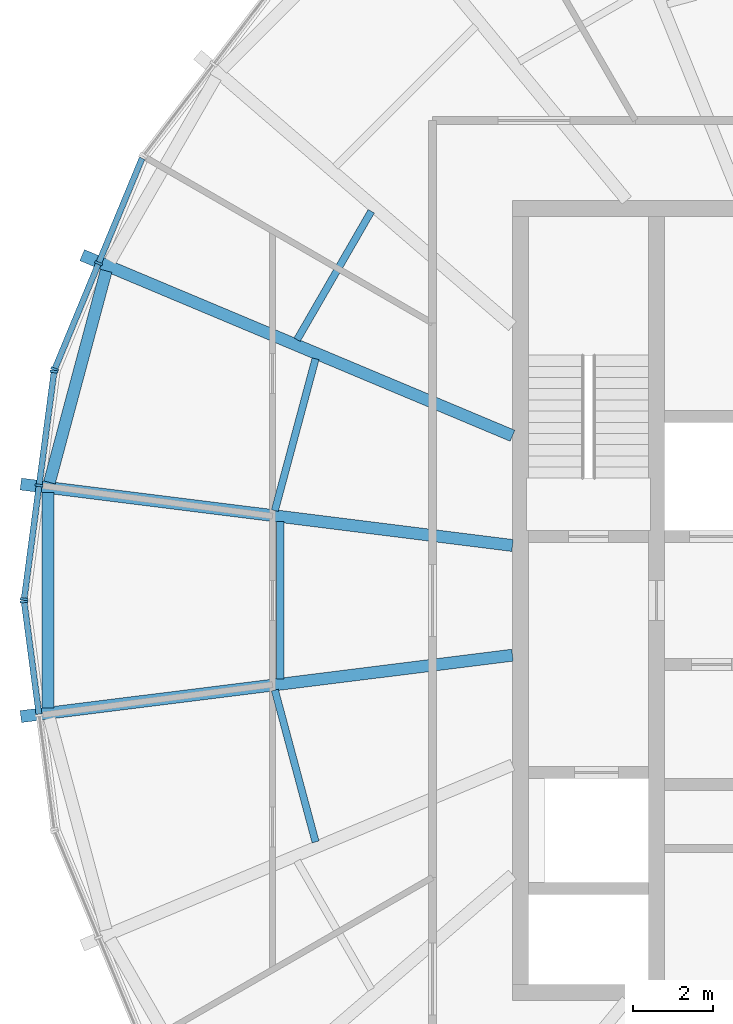
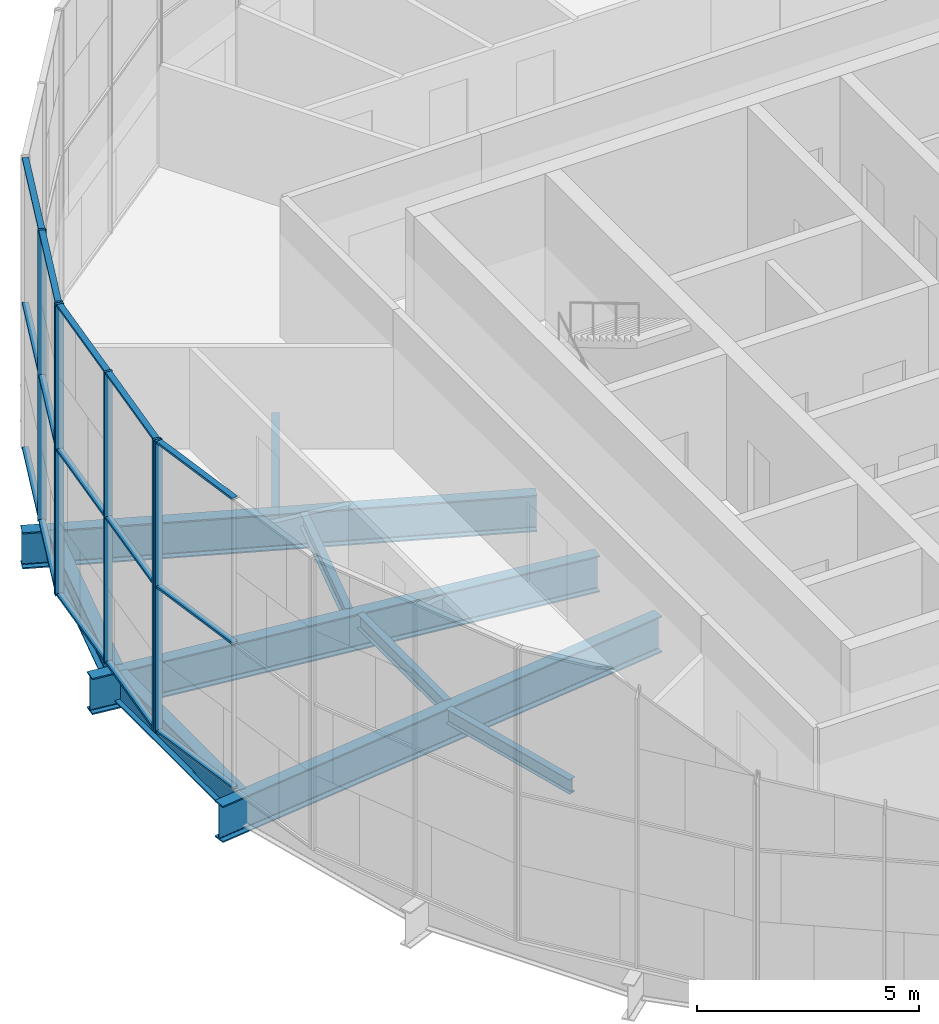
# One storey, part 3 of 19: 21 members, 9 beams, 3 elements without a shape of their own.
"""IFC4 building model written with IfcOpenShell, lengths in metres."""

import ifcopenshell
import ifcopenshell.guid

model = None  # the IFC model being written
_history = None  # IfcOwnerHistory: only IFC2X3 demands one
_inside = {}  # id of a spatial element -> (the spatial element, [elements in it])
_under = {}  # id of a project, library or spatial element -> (it, [spatial elements below it])
_declared = {}  # id of a project -> (the project, [libraries it declares])
_typed = {}  # id of a type object -> (the type object, [elements of that type])
_made_of = {}  # id of a material, layer set ... -> (it, [elements and type objects made of it])


def new_model(schema):
    """Start an empty IFC model of exactly this schema.

    Asked for "IFC4X3", IfcOpenShell would pick the latest addendum, in which some entities
    have other attributes; the version numbers below select the first issue.
    IFC2X3 requires an IfcOwnerHistory on every rooted entity: one is made here for all.
    """
    global model, _history
    if schema == "IFC4X3":
        model = ifcopenshell.file(schema_version=(4, 3, 0, 0))
    else:
        model = ifcopenshell.file(schema=schema)
    _inside.clear()
    _under.clear()
    _declared.clear()
    _typed.clear()
    _made_of.clear()
    _history = None
    if model.schema == "IFC2X3":
        org = make("IfcOrganization", Name="unknown")
        user = make(
            "IfcPersonAndOrganization",
            ThePerson=make("IfcPerson", FamilyName="unknown"),
            TheOrganization=org,
        )
        app = make(
            "IfcApplication",
            ApplicationDeveloper=org,
            Version="unknown",
            ApplicationFullName="unknown",
            ApplicationIdentifier="unknown",
        )
        _history = make(
            "IfcOwnerHistory",
            OwningUser=user,
            OwningApplication=app,
            ChangeAction="ADDED",
            CreationDate=0,
        )
    return model


def make(cls, **values):
    """One entity of the class cls with the attributes given. An attribute that is None is left unset."""
    return model.create_entity(
        cls, **{name: value for name, value in values.items() if value is not None}
    )


def rooted(cls, **values):
    """An entity with a GlobalId (a new one), such as an element, a storey or a relation."""
    return make(cls, GlobalId=ifcopenshell.guid.new(), OwnerHistory=_history, **values)


def si_unit(unit_type, name, prefix=None):
    """IfcSIUnit, for example si_unit("LENGTHUNIT", "METRE", prefix="MILLI")."""
    return make("IfcSIUnit", UnitType=unit_type, Prefix=prefix, Name=name)


def assignment(units):
    """IfcUnitAssignment: the units of a project."""
    return None if units is None else make("IfcUnitAssignment", Units=units)


def point(xyz):
    """IfcCartesianPoint."""
    return None if xyz is None else make("IfcCartesianPoint", Coordinates=xyz)


def direction(xyz):
    """IfcDirection."""
    return None if xyz is None else make("IfcDirection", DirectionRatios=xyz)


def frame(location, z_axis=None, x_axis=None):
    """IfcAxis2Placement3D, a coordinate frame: its origin and axes. An axis left out is left unset."""
    return make(
        "IfcAxis2Placement3D",
        Location=point(location),
        Axis=direction(z_axis),
        RefDirection=direction(x_axis),
    )


def frame_2d(location, x_axis=None):
    """IfcAxis2Placement2D, a coordinate frame in the plane: its origin and x axis."""
    return make(
        "IfcAxis2Placement2D", Location=point(location), RefDirection=direction(x_axis)
    )


def origin():
    """The frame at (0, 0, 0) with its axes left unset."""
    return frame((0.0, 0.0, 0.0))


def origin_2d():
    """The frame at (0, 0) in the plane with its x axis left unset."""
    return frame_2d((0.0, 0.0))


def place(relative_to, where):
    """IfcLocalPlacement: puts the frame where relative to a parent placement (None: the world)."""
    return make(
        "IfcLocalPlacement", PlacementRelTo=relative_to, RelativePlacement=where
    )


def context(
    kind, dimensions, precision=None, world=None, true_north=None, identifier=None
):
    """IfcGeometricRepresentationContext, for example the 3D "Model" context."""
    return make(
        "IfcGeometricRepresentationContext",
        ContextIdentifier=identifier,
        ContextType=kind,
        CoordinateSpaceDimension=dimensions,
        Precision=precision,
        WorldCoordinateSystem=world,
        TrueNorth=true_north,
    )


def subcontext(parent, identifier, kind, view, scale=None):
    """IfcGeometricRepresentationSubContext, for example "Body" below "Model"."""
    return make(
        "IfcGeometricRepresentationSubContext",
        ContextIdentifier=identifier,
        ContextType=kind,
        ParentContext=parent,
        TargetScale=scale,
        TargetView=view,
    )


def project(units=None, contexts=None):
    """IfcProject with its units and contexts."""
    return rooted(
        "IfcProject",
        Name="project",
        RepresentationContexts=contexts,
        UnitsInContext=assignment(units),
    )


def spatial(cls, under=None, at=None, **own):
    """A site, building, storey or space (cls), placed at a placement, below another one or the project."""
    s = rooted(cls, ObjectPlacement=at, **own)
    if under is not None:
        _under.setdefault(under.id(), (under, []))[1].append(s)
    return s


def profile(cls, at=None, kind="AREA", **sizes):
    """A parametric profile (cls). Its sizes go by their IFC names, for example OverallWidth=200.0."""
    return make(cls, ProfileType=kind, Position=at, **sizes)


def rectangle(**sizes):
    """IfcRectangleProfileDef."""
    return profile("IfcRectangleProfileDef", **sizes)


def i_section(**sizes):
    """IfcIShapeProfileDef."""
    return profile("IfcIShapeProfileDef", **sizes)


def extrude(swept, where, along, depth):
    """IfcExtrudedAreaSolid: the profile swept, set in the frame where, extruded along a direction by depth."""
    return make(
        "IfcExtrudedAreaSolid",
        SweptArea=swept,
        Position=where,
        ExtrudedDirection=direction(along),
        Depth=depth,
    )


def shape(context_of_items, identifier, shape_type, items):
    """IfcShapeRepresentation: the items that make up one representation, for example the "Body"."""
    return make(
        "IfcShapeRepresentation",
        ContextOfItems=context_of_items,
        RepresentationIdentifier=identifier,
        RepresentationType=shape_type,
        Items=items,
    )


def material(Name=None, Category=None):
    """IfcMaterial."""
    return make("IfcMaterial", Name=Name, Category=Category)


def material_profile(
    of_material, cross_section, Name=None, Category=None, Priority=None
):
    """IfcMaterialProfile: a cross section and its material."""
    return make(
        "IfcMaterialProfile",
        Name=Name,
        Material=of_material,
        Profile=cross_section,
        Priority=Priority,
        Category=Category,
    )


def profile_set(profiles, Name=None, composite=None):
    """IfcMaterialProfileSet."""
    return make(
        "IfcMaterialProfileSet",
        Name=Name,
        MaterialProfiles=profiles,
        CompositeProfile=composite,
    )


def made_of(thing, what):
    """Note that an element or type object is made of a material, layer set ...; save() writes the relation."""
    if what is not None:
        _made_of.setdefault(what.id(), (what, []))[1].append(thing)
    return thing


def type_object(cls, material=None, **own):
    """A type object (cls), such as IfcWallType, which elements share."""
    return made_of(rooted(cls, **own), material)


def element(
    cls,
    number,
    at=None,
    inside=None,
    cuts=None,
    type_object=None,
    material=None,
    context=None,
    identifier="Body",
    shape_type=None,
    held_by="IfcProductDefinitionShape",
    body=None,
    shapes=None,
    **own,
):
    """One element of the class cls, such as IfcWall. Its Tag is "e" and its number.

    at: its placement. inside: the storey or other place that contains it. cuts: it is an
    opening in that element (IfcRelVoidsElement). A single representation is given by context,
    identifier, shape_type and body (its items); several are given by shapes. held_by: the class
    of the entity that holds the representations. save() writes the other relations.
    """
    e = rooted(cls, Tag="e%d" % number, ObjectPlacement=at, **own)
    if body is not None:
        shapes = [shape(context, identifier, shape_type, body)]
    if shapes is not None:
        e.Representation = make(held_by, Representations=shapes)
    if inside is not None:
        _inside.setdefault(inside.id(), (inside, []))[1].append(e)
    if cuts is not None:
        rooted(
            "IfcRelVoidsElement", RelatingBuildingElement=cuts, RelatedOpeningElement=e
        )
    if type_object is not None:
        _typed.setdefault(type_object.id(), (type_object, []))[1].append(e)
    return made_of(e, material)


def aggregate(whole, parts):
    """IfcRelAggregates: a whole, such as a stair, and the parts it consists of."""
    return rooted("IfcRelAggregates", RelatingObject=whole, RelatedObjects=parts)


def save(model, path):
    """Write the relations noted so far, then the file.

    IfcRelAggregates (storeys below a building ...), IfcRelContainedInSpatialStructure (elements
    in a storey), IfcRelDefinesByType, IfcRelAssociatesMaterial and IfcRelDeclares: one each for
    every whole, place, type object, material and project.
    """
    for whole, parts in _under.values():
        aggregate(whole, parts)
    for where, things in _inside.values():
        rooted(
            "IfcRelContainedInSpatialStructure",
            RelatedElements=things,
            RelatingStructure=where,
        )
    for kind, things in _typed.values():
        rooted("IfcRelDefinesByType", RelatedObjects=things, RelatingType=kind)
    for what, things in _made_of.values():
        rooted("IfcRelAssociatesMaterial", RelatedObjects=things, RelatingMaterial=what)
    for by, libraries in _declared.values():
        rooted("IfcRelDeclares", RelatingContext=by, RelatedDefinitions=libraries)
    model.write(path)


model = new_model("IFC4")

# Units and contexts
model_context = context("Model", 3, precision=1e-05, world=origin(), true_north=direction((0.0, 1.0)))
body_context = subcontext(model_context, "Body", "Model", "MODEL_VIEW")
ifc_project = project(units=[si_unit("LENGTHUNIT", "METRE"), si_unit("AREAUNIT", "SQUARE_METRE"), si_unit("VOLUMEUNIT", "CUBIC_METRE"), si_unit("PLANEANGLEUNIT", "RADIAN"), si_unit("MASSUNIT", "GRAM", prefix="KILO")], contexts=[model_context])

# Site, building, storey
site_placement = place(None, origin())
site = spatial("IfcSite", under=ifc_project, at=site_placement, CompositionType="ELEMENT")
building_placement = place(site_placement, origin())
building = spatial("IfcBuilding", under=site, at=building_placement, Name="Golbaran Civic Tower", CompositionType="ELEMENT")
storey_placement = place(building_placement, frame((0.0, 0.0, 256.0)))
storey = spatial("IfcBuildingStorey", under=building, at=storey_placement, Name="L62", CompositionType="ELEMENT", Elevation=256.0)

# Beams
ifc_material_1 = material(Name="Steel S355", Category="steel")
ifc_material_profile_1 = material_profile(ifc_material_1, i_section(OverallWidth=0.300048828125, OverallDepth=0.800048828125, WebThickness=0.017578125, FlangeThickness=0.032958984375, FilletRadius=0.030029296875, at=origin_2d()), Name="HEB 800")
ifc_profile_set_1 = profile_set([ifc_material_profile_1], Name="Steel S355")
beam_type_1 = type_object("IfcBeamType", Name="EDGE BEAM HEB 800", PredefinedType="BEAM", material=ifc_profile_set_1)
beam_1_placement = place(storey_placement, frame((-20.157958984375, 8.237060546875, -0.60009765625), z_axis=(-0.258897277861, -0.965904860489, 0.0), x_axis=(0.965904860489, -0.258897277861, 0.0)))
element("IfcBeam", 1, at=beam_1_placement, inside=storey, type_object=beam_type_1, Name="Edge beam 157.42 L62", PredefinedType="BEAM", context=body_context, shape_type="SweptSolid", body=[
    extrude(i_section(OverallWidth=0.300048828125, OverallDepth=0.800048828125, WebThickness=0.017578125, FlangeThickness=0.032958984375, FilletRadius=0.030029296875, at=origin_2d()), origin(), (0.0, 0.0, 1.0), 5.47607421875),
])
beam_2_placement = place(storey_placement, frame((-21.609619140625, 2.68994140625, -0.60009765625), z_axis=(0.0, -1.0, 0.0), x_axis=(1.0, 0.0, 0.0)))
element("IfcBeam", 2, at=beam_2_placement, inside=storey, type_object=beam_type_1, Name="Edge beam 172.58 L62", PredefinedType="BEAM", context=body_context, shape_type="SweptSolid", body=[
    extrude(i_section(OverallWidth=0.300048828125, OverallDepth=0.800048828125, WebThickness=0.017578125, FlangeThickness=0.032958984375, FilletRadius=0.030029296875, at=origin_2d()), origin(), (0.0, 0.0, 1.0), 5.3798828125),
])
ifc_material_profile_2 = material_profile(ifc_material_1, i_section(OverallWidth=0.179931640625, OverallDepth=0.39990234375, WebThickness=0.008544921875, FlangeThickness=0.013427734375, FilletRadius=0.02099609375, at=origin_2d()), Name="IPE 400")
ifc_profile_set_2 = profile_set([ifc_material_profile_2], Name="Steel S355")
beam_type_2 = type_object("IfcBeamType", Name="FLOOR INFILL BEAM IPE 400", PredefinedType="BEAM", material=ifc_profile_set_2)
beam_3_placement = place(storey_placement, frame((-13.5302734375, 9.7265625, -0.39990234375), z_axis=(-0.500005526257, -0.866022213175, 0.0), x_axis=(0.866022213175, -0.500005526257, 0.0)))
element("IfcBeam", 3, at=beam_3_placement, inside=storey, type_object=beam_type_2, Name="Infill beam 150.00 L62", PredefinedType="BEAM", context=body_context, shape_type="SweptSolid", body=[
    extrude(i_section(OverallWidth=0.179931640625, OverallDepth=0.39990234375, WebThickness=0.008544921875, FlangeThickness=0.013427734375, FilletRadius=0.02099609375, at=origin_2d()), origin(), (0.0, 0.0, 1.0), 3.7080078125),
])
beam_4_placement = place(storey_placement, frame((-14.92333984375, 6.039794921875, -0.39990234375), z_axis=(-0.258830285258, -0.965922814428, 0.0), x_axis=(0.965922814428, -0.258830285258, 0.0)))
element("IfcBeam", 4, at=beam_4_placement, inside=storey, type_object=beam_type_2, Name="Infill beam 165.00 L62", PredefinedType="BEAM", context=body_context, shape_type="SweptSolid", body=[
    extrude(i_section(OverallWidth=0.179931640625, OverallDepth=0.39990234375, WebThickness=0.008544921875, FlangeThickness=0.013427734375, FilletRadius=0.02099609375, at=origin_2d()), origin(), (0.0, 0.0, 1.0), 3.929443359375),
])
beam_5_placement = place(storey_placement, frame((-15.8046875, 1.96533203125, -0.39990234375), z_axis=(0.0, -1.0, 0.0), x_axis=(1.0, 0.0, 0.0)))
element("IfcBeam", 5, at=beam_5_placement, inside=storey, type_object=beam_type_2, Name="Infill beam 180.00 L62", PredefinedType="BEAM", context=body_context, shape_type="SweptSolid", body=[
    extrude(i_section(OverallWidth=0.179931640625, OverallDepth=0.39990234375, WebThickness=0.008544921875, FlangeThickness=0.013427734375, FilletRadius=0.02099609375, at=origin_2d()), origin(), (0.0, 0.0, 1.0), 3.9306640625),
])
beam_6_placement = place(storey_placement, frame((-15.9404296875, -2.244140625, -0.39990234375), z_axis=(0.258830285258, -0.965922814428, 0.0), x_axis=(0.965922814428, 0.258830285258, 0.0)))
element("IfcBeam", 6, at=beam_6_placement, inside=storey, type_object=beam_type_2, Name="Infill beam 195.00 L62", PredefinedType="BEAM", context=body_context, shape_type="SweptSolid", body=[
    extrude(i_section(OverallWidth=0.179931640625, OverallDepth=0.39990234375, WebThickness=0.008544921875, FlangeThickness=0.013427734375, FilletRadius=0.02099609375, at=origin_2d()), origin(), (0.0, 0.0, 1.0), 3.929443359375),
])

# Curtain wall, members
ifc_material_2 = material(Name="Aluminium and glass", Category="aluminium")
curtain_wall_type = type_object("IfcCurtainWallType", Name="INNER SKIN CURTAIN WALL EXECUTIVE", PredefinedType="NOTDEFINED", material=ifc_material_2)
curtain_wall_1_placement = place(storey_placement, origin())
curtain_wall_1 = element("IfcCurtainWall", 7, at=curtain_wall_1_placement, inside=storey, type_object=curtain_wall_type, Name="Inner skin L62 facet 11 CW2", ObjectType="INNER SKIN", PredefinedType="USERDEFINED")
ifc_material_3 = material(Name="Aluminium", Category="aluminium")
ifc_material_profile_3 = material_profile(ifc_material_3, rectangle(XDim=0.199951171875, YDim=0.06005859375, at=origin_2d()), Name="INNER SKIN CURTAIN WALL EXECUTIVE MULLION")
ifc_profile_set_3 = profile_set([ifc_material_profile_3], Name="Aluminium")
member_type_1 = type_object("IfcMemberType", Name="INNER SKIN CURTAIN WALL EXECUTIVE MULLION", PredefinedType="MULLION", material=ifc_profile_set_3)
member_1_placement = place(storey_placement, frame((-20.3466796875, 8.427734375, 0.0), z_axis=(0.0, 0.0, 1.0), x_axis=(0.923879532511, -0.382683432365, 0.0)))
member_1 = element("IfcMember", 8, at=member_1_placement, type_object=member_type_1, Name="CW2 mullion 2", PredefinedType="MULLION", context=body_context, shape_type="SweptSolid", body=[
    extrude(rectangle(XDim=0.199951171875, YDim=0.06005859375, at=origin_2d()), origin(), (0.0, 0.0, 1.0), 8.0),
])
member_2_placement = place(storey_placement, frame((-21.444580078125, 5.77685546875, 0.0), z_axis=(0.0, 0.0, 1.0), x_axis=(0.923879532511, -0.382683432365, 0.0)))
member_2 = element("IfcMember", 9, at=member_2_placement, type_object=member_type_1, Name="CW2 mullion 3", PredefinedType="MULLION", context=body_context, shape_type="SweptSolid", body=[
    extrude(rectangle(XDim=0.199951171875, YDim=0.06005859375, at=origin_2d()), origin(), (0.0, 0.0, 1.0), 8.0),
])

curtain_wall_2_placement = place(storey_placement, origin())
curtain_wall_2 = element("IfcCurtainWall", 10, at=curtain_wall_2_placement, inside=storey, type_object=curtain_wall_type, Name="Inner skin L62 facet 12 CW2", ObjectType="INNER SKIN", PredefinedType="USERDEFINED")
member_3_placement = place(storey_placement, frame((-21.4599609375, 5.719482421875, 0.0), z_axis=(0.0, 0.0, 1.0), x_axis=(0.991444861367, -0.130526192272, 0.0)))
member_3 = element("IfcMember", 11, at=member_3_placement, type_object=member_type_1, Name="CW2 mullion 1", PredefinedType="MULLION", context=body_context, shape_type="SweptSolid", body=[
    extrude(rectangle(XDim=0.199951171875, YDim=0.06005859375, at=origin_2d()), origin(), (0.0, 0.0, 1.0), 8.0),
])
member_4_placement = place(storey_placement, frame((-21.83447265625, 2.87451171875, 0.0), z_axis=(0.0, 0.0, 1.0), x_axis=(0.991444861367, -0.130526192272, 0.0)))
member_4 = element("IfcMember", 12, at=member_4_placement, type_object=member_type_1, Name="CW2 mullion 2", PredefinedType="MULLION", context=body_context, shape_type="SweptSolid", body=[
    extrude(rectangle(XDim=0.199951171875, YDim=0.06005859375, at=origin_2d()), origin(), (0.0, 0.0, 1.0), 8.0),
])
member_5_placement = place(storey_placement, frame((-22.208984375, 0.02978515625, 0.0), z_axis=(0.0, 0.0, 1.0), x_axis=(0.991444861367, -0.130526192272, 0.0)))
member_5 = element("IfcMember", 13, at=member_5_placement, type_object=member_type_1, Name="CW2 mullion 3", PredefinedType="MULLION", context=body_context, shape_type="SweptSolid", body=[
    extrude(rectangle(XDim=0.199951171875, YDim=0.06005859375, at=origin_2d()), origin(), (0.0, 0.0, 1.0), 8.0),
])

# Curtain wall, member
curtain_wall_3_placement = place(storey_placement, origin())
curtain_wall_3 = element("IfcCurtainWall", 14, at=curtain_wall_3_placement, inside=storey, type_object=curtain_wall_type, Name="Inner skin L62 facet 13 CW2", ObjectType="INNER SKIN", PredefinedType="USERDEFINED")
member_6_placement = place(storey_placement, frame((-22.208984375, -0.02978515625, 0.0), z_axis=(0.0, 0.0, 1.0), x_axis=(0.991444861367, 0.130526192272, 0.0)))
member_6 = element("IfcMember", 15, at=member_6_placement, type_object=member_type_1, Name="CW2 mullion 1", PredefinedType="MULLION", context=body_context, shape_type="SweptSolid", body=[
    extrude(rectangle(XDim=0.199951171875, YDim=0.06005859375, at=origin_2d()), origin(), (0.0, 0.0, 1.0), 8.0),
])

# Member
ifc_material_profile_4 = material_profile(ifc_material_3, rectangle(XDim=0.14990234375, YDim=0.06005859375, at=origin_2d()), Name="INNER SKIN CURTAIN WALL EXECUTIVE TRANSOM")
ifc_profile_set_4 = profile_set([ifc_material_profile_4], Name="Aluminium")
member_type_2 = type_object("IfcMemberType", Name="INNER SKIN CURTAIN WALL EXECUTIVE TRANSOM", PredefinedType="USERDEFINED", material=ifc_profile_set_4)
member_7_placement = place(storey_placement, frame((-19.260009765625, 11.051025390625, 0.030029296875), z_axis=(-0.382720195168, -0.923864304003, 0.0), x_axis=(0.923864304003, -0.382720195168, 0.0)))
member_7 = element("IfcMember", 16, at=member_7_placement, type_object=member_type_2, Name="CW2 transom 1.1", ObjectType="TRANSOM", PredefinedType="USERDEFINED", context=body_context, shape_type="SweptSolid", body=[
    extrude(rectangle(XDim=0.14990234375, YDim=0.06005859375, at=origin_2d()), origin(), (0.0, 0.0, 1.0), 2.809326171875),
])

member_8_placement = place(storey_placement, frame((-19.260009765625, 11.051025390625, 4.0), z_axis=(-0.382720195168, -0.923864304003, 0.0), x_axis=(0.923864304003, -0.382720195168, 0.0)))
member_8 = element("IfcMember", 17, at=member_8_placement, type_object=member_type_2, Name="CW2 transom 1.2", ObjectType="TRANSOM", PredefinedType="USERDEFINED", context=body_context, shape_type="SweptSolid", body=[
    extrude(rectangle(XDim=0.14990234375, YDim=0.06005859375, at=origin_2d()), origin(), (0.0, 0.0, 1.0), 2.809326171875),
])

member_9_placement = place(storey_placement, frame((-19.260009765625, 11.051025390625, 7.969970703125), z_axis=(-0.382720195168, -0.923864304003, 0.0), x_axis=(0.923864304003, -0.382720195168, 0.0)))
member_9 = element("IfcMember", 18, at=member_9_placement, type_object=member_type_2, Name="CW2 transom 1.3", ObjectType="TRANSOM", PredefinedType="USERDEFINED", context=body_context, shape_type="SweptSolid", body=[
    extrude(rectangle(XDim=0.14990234375, YDim=0.06005859375, at=origin_2d()), origin(), (0.0, 0.0, 1.0), 2.809326171875),
])

member_10_placement = place(storey_placement, frame((-20.358154296875, 8.400146484375, 0.030029296875), z_axis=(-0.382646017682, -0.923895029293, 0.0), x_axis=(0.923895029293, -0.382646017682, 0.0)))
member_10 = element("IfcMember", 19, at=member_10_placement, type_object=member_type_2, Name="CW2 transom 2.1", ObjectType="TRANSOM", PredefinedType="USERDEFINED", context=body_context, shape_type="SweptSolid", body=[
    extrude(rectangle(XDim=0.14990234375, YDim=0.06005859375, at=origin_2d()), origin(), (0.0, 0.0, 1.0), 2.809326171875),
])

member_11_placement = place(storey_placement, frame((-20.358154296875, 8.400146484375, 4.0), z_axis=(-0.382646017682, -0.923895029293, 0.0), x_axis=(0.923895029293, -0.382646017682, 0.0)))
member_11 = element("IfcMember", 20, at=member_11_placement, type_object=member_type_2, Name="CW2 transom 2.2", ObjectType="TRANSOM", PredefinedType="USERDEFINED", context=body_context, shape_type="SweptSolid", body=[
    extrude(rectangle(XDim=0.14990234375, YDim=0.06005859375, at=origin_2d()), origin(), (0.0, 0.0, 1.0), 2.809326171875),
])

member_12_placement = place(storey_placement, frame((-20.358154296875, 8.400146484375, 7.969970703125), z_axis=(-0.382646017682, -0.923895029293, 0.0), x_axis=(0.923895029293, -0.382646017682, 0.0)))
member_12 = element("IfcMember", 21, at=member_12_placement, type_object=member_type_2, Name="CW2 transom 2.3", ObjectType="TRANSOM", PredefinedType="USERDEFINED", context=body_context, shape_type="SweptSolid", body=[
    extrude(rectangle(XDim=0.14990234375, YDim=0.06005859375, at=origin_2d()), origin(), (0.0, 0.0, 1.0), 2.809326171875),
])

aggregate(curtain_wall_1, [member_1, member_2, member_7, member_8, member_9, member_10, member_11, member_12])

member_13_placement = place(storey_placement, frame((-21.4638671875, 5.689697265625, 0.030029296875), z_axis=(-0.130524198098, -0.991445123903, 0.0), x_axis=(0.991445123903, -0.130524198098, 0.0)))
member_13 = element("IfcMember", 22, at=member_13_placement, type_object=member_type_2, Name="CW2 transom 1.1", ObjectType="TRANSOM", PredefinedType="USERDEFINED", context=body_context, shape_type="SweptSolid", body=[
    extrude(rectangle(XDim=0.14990234375, YDim=0.06005859375, at=origin_2d()), origin(), (0.0, 0.0, 1.0), 2.809326171875),
])

member_14_placement = place(storey_placement, frame((-21.4638671875, 5.689697265625, 4.0), z_axis=(-0.130524198098, -0.991445123903, 0.0), x_axis=(0.991445123903, -0.130524198098, 0.0)))
member_14 = element("IfcMember", 23, at=member_14_placement, type_object=member_type_2, Name="CW2 transom 1.2", ObjectType="TRANSOM", PredefinedType="USERDEFINED", context=body_context, shape_type="SweptSolid", body=[
    extrude(rectangle(XDim=0.14990234375, YDim=0.06005859375, at=origin_2d()), origin(), (0.0, 0.0, 1.0), 2.809326171875),
])

member_15_placement = place(storey_placement, frame((-21.4638671875, 5.689697265625, 7.969970703125), z_axis=(-0.130524198098, -0.991445123903, 0.0), x_axis=(0.991445123903, -0.130524198098, 0.0)))
member_15 = element("IfcMember", 24, at=member_15_placement, type_object=member_type_2, Name="CW2 transom 1.3", ObjectType="TRANSOM", PredefinedType="USERDEFINED", context=body_context, shape_type="SweptSolid", body=[
    extrude(rectangle(XDim=0.14990234375, YDim=0.06005859375, at=origin_2d()), origin(), (0.0, 0.0, 1.0), 2.809326171875),
])

member_16_placement = place(storey_placement, frame((-21.83837890625, 2.8447265625, 0.030029296875), z_axis=(-0.130535444612, -0.991443643229, 0.0), x_axis=(0.991443643229, -0.130535444612, 0.0)))
member_16 = element("IfcMember", 25, at=member_16_placement, type_object=member_type_2, Name="CW2 transom 2.1", ObjectType="TRANSOM", PredefinedType="USERDEFINED", context=body_context, shape_type="SweptSolid", body=[
    extrude(rectangle(XDim=0.14990234375, YDim=0.06005859375, at=origin_2d()), origin(), (0.0, 0.0, 1.0), 2.80908203125),
])

member_17_placement = place(storey_placement, frame((-21.83837890625, 2.8447265625, 4.0), z_axis=(-0.130535444612, -0.991443643229, 0.0), x_axis=(0.991443643229, -0.130535444612, 0.0)))
member_17 = element("IfcMember", 26, at=member_17_placement, type_object=member_type_2, Name="CW2 transom 2.2", ObjectType="TRANSOM", PredefinedType="USERDEFINED", context=body_context, shape_type="SweptSolid", body=[
    extrude(rectangle(XDim=0.14990234375, YDim=0.06005859375, at=origin_2d()), origin(), (0.0, 0.0, 1.0), 2.80908203125),
])

member_18_placement = place(storey_placement, frame((-21.83837890625, 2.8447265625, 7.969970703125), z_axis=(-0.130535444612, -0.991443643229, 0.0), x_axis=(0.991443643229, -0.130535444612, 0.0)))
member_18 = element("IfcMember", 27, at=member_18_placement, type_object=member_type_2, Name="CW2 transom 2.3", ObjectType="TRANSOM", PredefinedType="USERDEFINED", context=body_context, shape_type="SweptSolid", body=[
    extrude(rectangle(XDim=0.14990234375, YDim=0.06005859375, at=origin_2d()), origin(), (0.0, 0.0, 1.0), 2.80908203125),
])

aggregate(curtain_wall_2, [member_3, member_4, member_5, member_13, member_14, member_15, member_16, member_17, member_18])

member_19_placement = place(storey_placement, frame((-22.205078125, -0.0595703125, 0.030029296875), z_axis=(0.130535444612, -0.991443643229, 0.0), x_axis=(0.991443643229, 0.130535444612, 0.0)))
member_19 = element("IfcMember", 28, at=member_19_placement, type_object=member_type_2, Name="CW2 transom 1.1", ObjectType="TRANSOM", PredefinedType="USERDEFINED", context=body_context, shape_type="SweptSolid", body=[
    extrude(rectangle(XDim=0.14990234375, YDim=0.06005859375, at=origin_2d()), origin(), (0.0, 0.0, 1.0), 2.80908203125),
])

member_20_placement = place(storey_placement, frame((-22.205078125, -0.0595703125, 4.0), z_axis=(0.130535444612, -0.991443643229, 0.0), x_axis=(0.991443643229, 0.130535444612, 0.0)))
member_20 = element("IfcMember", 29, at=member_20_placement, type_object=member_type_2, Name="CW2 transom 1.2", ObjectType="TRANSOM", PredefinedType="USERDEFINED", context=body_context, shape_type="SweptSolid", body=[
    extrude(rectangle(XDim=0.14990234375, YDim=0.06005859375, at=origin_2d()), origin(), (0.0, 0.0, 1.0), 2.80908203125),
])

member_21_placement = place(storey_placement, frame((-22.205078125, -0.0595703125, 7.969970703125), z_axis=(0.130535444612, -0.991443643229, 0.0), x_axis=(0.991443643229, 0.130535444612, 0.0)))
member_21 = element("IfcMember", 30, at=member_21_placement, type_object=member_type_2, Name="CW2 transom 1.3", ObjectType="TRANSOM", PredefinedType="USERDEFINED", context=body_context, shape_type="SweptSolid", body=[
    extrude(rectangle(XDim=0.14990234375, YDim=0.06005859375, at=origin_2d()), origin(), (0.0, 0.0, 1.0), 2.80908203125),
])

aggregate(curtain_wall_3, [member_6, member_19, member_20, member_21])

# Beams
ifc_material_profile_5 = material_profile(ifc_material_1, i_section(OverallWidth=0.300048828125, OverallDepth=1.0, WebThickness=0.01904296875, FlangeThickness=0.035888671875, FilletRadius=0.030029296875, at=origin_2d()), Name="HEB 1000")
ifc_profile_set_5 = profile_set([ifc_material_profile_5], Name="Steel S355")
beam_type_3 = type_object("IfcBeamType", Name="RADIAL FLOOR BEAM HEB 1000", PredefinedType="BEAM", material=ifc_profile_set_5)
beam_7_placement = place(storey_placement, frame((-10.0, 4.1142578125, -0.7099609375), z_axis=(-0.922066502889, 0.387031477078, 0.0), x_axis=(-0.387031477078, -0.922066502889, 0.0)))
element("IfcBeam", 31, at=beam_7_placement, inside=storey, type_object=beam_type_3, Name="Radial beam 157.42 L62", PredefinedType="BEAM", context=body_context, shape_type="SweptSolid", body=[
    extrude(i_section(OverallWidth=0.300048828125, OverallDepth=1.0, WebThickness=0.01904296875, FlangeThickness=0.035888671875, FilletRadius=0.030029296875, at=origin_2d()), origin(), (0.0, 0.0, 1.0), 11.667236328125),
])
for number, where, z_axis, x_axis, name in (
    (32, (-10.0, 1.371337890625, -0.7099609375), (-0.992293333054, 0.123911021211, 0.0), (-0.123911021211, -0.992293333054, 0.0), "Radial beam 172.58 L62"),
    (33, (-10.0, -1.371337890625, -0.7099609375), (-0.992293333054, -0.123911021211, 0.0), (0.123911021211, -0.992293333054, 0.0), "Radial beam 187.42 L62"),
):
    element("IfcBeam", number, at=place(storey_placement, frame(where, z_axis=z_axis, x_axis=x_axis)), inside=storey, type_object=beam_type_3, Name=name, PredefinedType="BEAM", context=body_context, shape_type="SweptSolid", body=[
        extrude(i_section(OverallWidth=0.300048828125, OverallDepth=1.0, WebThickness=0.01904296875, FlangeThickness=0.035888671875, FilletRadius=0.030029296875, at=origin_2d()), origin(), (0.0, 0.0, 1.0), 12.38720703125),
    ])

save(model, "model.ifc")
